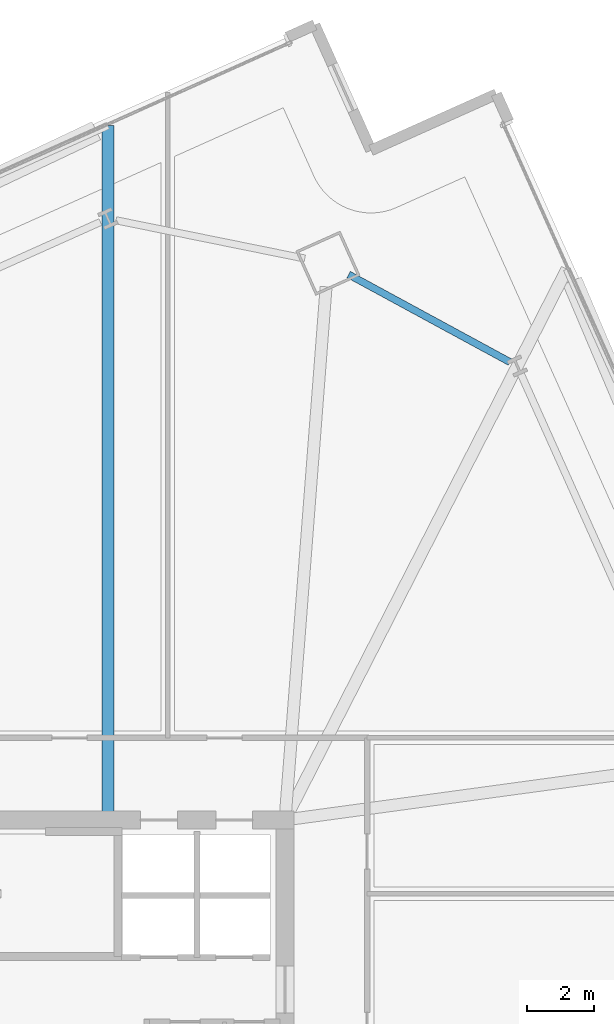
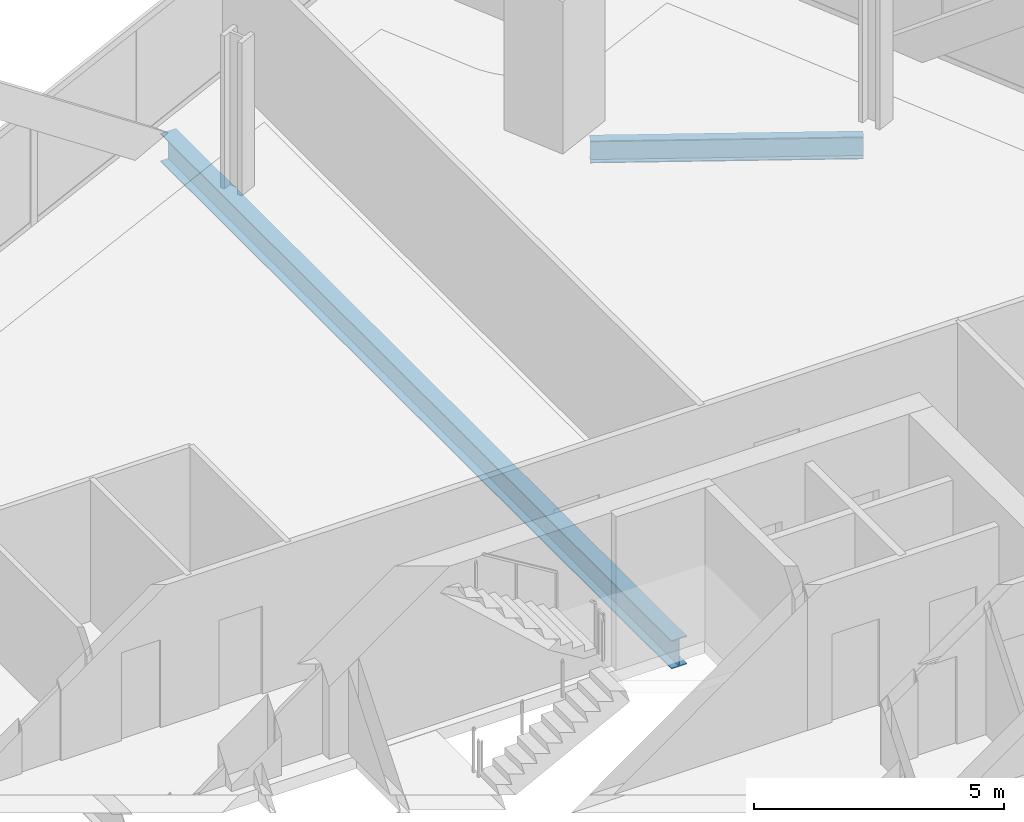
# One storey, part 22 of 38: 2 beams.
"""IFC4 building model written with IfcOpenShell, lengths in metres."""

from ifc_helpers import new_model, si_unit, direction, frame, origin, origin_2d, place, context, subcontext, project, spatial, i_section, extrude, material, material_profile, profile_set, type_object, element, save


model = new_model("IFC4")

# Units and contexts
model_context = context("Model", 3, precision=1e-05, world=origin(), true_north=direction((0.0, 1.0)))
body_context = subcontext(model_context, "Body", "Model", "MODEL_VIEW")
ifc_project = project(units=[si_unit("LENGTHUNIT", "METRE"), si_unit("AREAUNIT", "SQUARE_METRE"), si_unit("VOLUMEUNIT", "CUBIC_METRE"), si_unit("PLANEANGLEUNIT", "RADIAN"), si_unit("MASSUNIT", "GRAM", prefix="KILO")], contexts=[model_context])

# Site, building, storey
site_placement = place(None, origin())
site = spatial("IfcSite", under=ifc_project, at=site_placement, CompositionType="ELEMENT")
building_placement = place(site_placement, origin())
building = spatial("IfcBuilding", under=site, at=building_placement, Name="Haldenkirk Collegiate Tower", CompositionType="ELEMENT")
storey_placement = place(building_placement, frame((0.0, 0.0, 109.199951171875)))
storey = spatial("IfcBuildingStorey", under=building, at=storey_placement, Name="L26", CompositionType="ELEMENT", Elevation=109.199951171875)

# Beams
ifc_material = material(Name="Steel ASTM A992 Grade 50", Category="steel")
ifc_material_profile_1 = material_profile(ifc_material, i_section(OverallWidth=0.35498046875, OverallDepth=0.696044921875, WebThickness=0.015380859375, FlangeThickness=0.02490234375, at=origin_2d()), Name="W27X146")
ifc_profile_set_1 = profile_set([ifc_material_profile_1], Name="Steel ASTM A992 Grade 50")
beam_type_1 = type_object("IfcBeamType", Name="BM-GIRDER-W27X146", PredefinedType="BEAM", material=ifc_profile_set_1)
beam_1_placement = place(storey_placement, frame((39.71630859375, 54.71337890625, -0.64794921875), z_axis=(0.0, -1.0, 0.0), x_axis=(1.0, 0.0, 0.0)))
element("IfcBeam", 1, at=beam_1_placement, inside=storey, type_object=beam_type_1, Name="L26 primary floor girder 11", PredefinedType="BEAM", context=body_context, shape_type="SweptSolid", body=[
    extrude(i_section(OverallWidth=0.35498046875, OverallDepth=0.696044921875, WebThickness=0.015380859375, FlangeThickness=0.02490234375, at=origin_2d()), origin(), (0.0, 0.0, 1.0), 20.45849609375),
])
ifc_material_profile_2 = material_profile(ifc_material, i_section(OverallWidth=0.2119140625, OverallDepth=0.5439453125, WebThickness=0.01318359375, FlangeThickness=0.021240234375, at=origin_2d()), Name="W21X83")
ifc_profile_set_2 = profile_set([ifc_material_profile_2], Name="Steel ASTM A992 Grade 50")
beam_type_2 = type_object("IfcBeamType", Name="BM-SPANDREL-W21X83", PredefinedType="SPANDREL", material=ifc_profile_set_2)
beam_2_placement = place(storey_placement, frame((51.714599609375, 47.66015625, -0.572021484375), z_axis=(-0.878835810931, 0.477124320723, 0.0), x_axis=(-0.477124320723, -0.878835810931, 0.0)))
element("IfcBeam", 2, at=beam_2_placement, inside=storey, type_object=beam_type_2, Name="L26 perimeter spandrel beam 08", PredefinedType="SPANDREL", context=body_context, shape_type="SweptSolid", body=[
    extrude(i_section(OverallWidth=0.2119140625, OverallDepth=0.5439453125, WebThickness=0.01318359375, FlangeThickness=0.021240234375, at=origin_2d()), origin(), (0.0, 0.0, 1.0), 5.477783203125),
])

save(model, "model.ifc")
